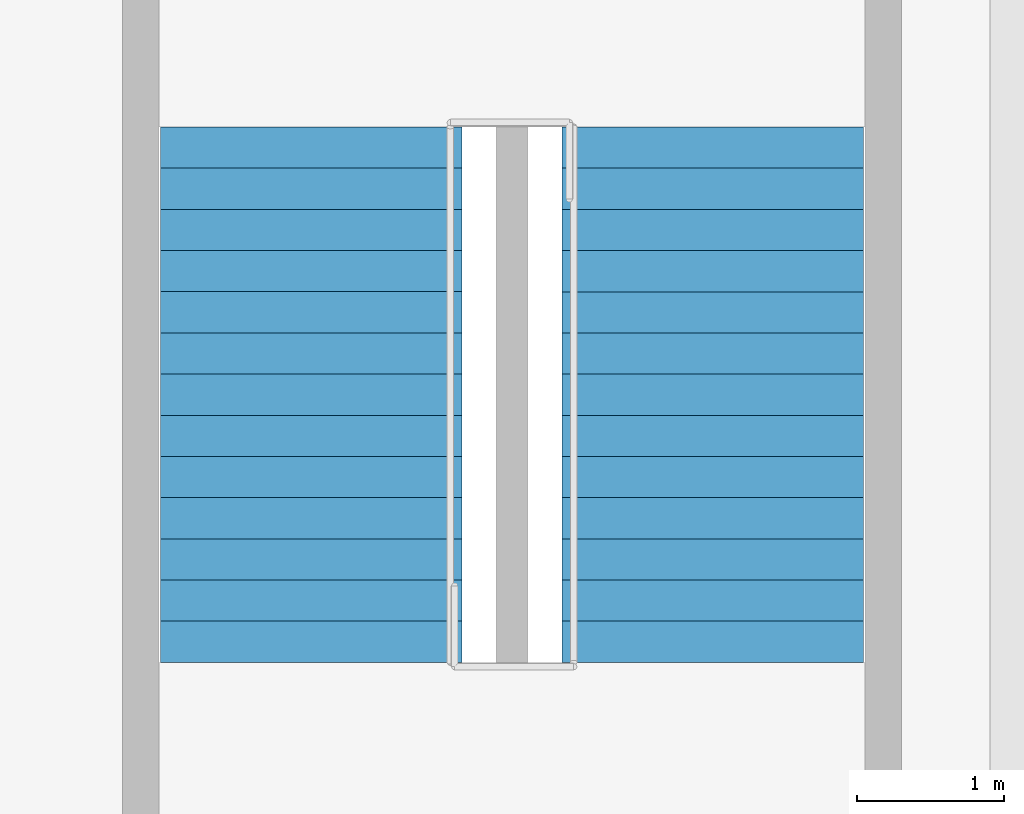
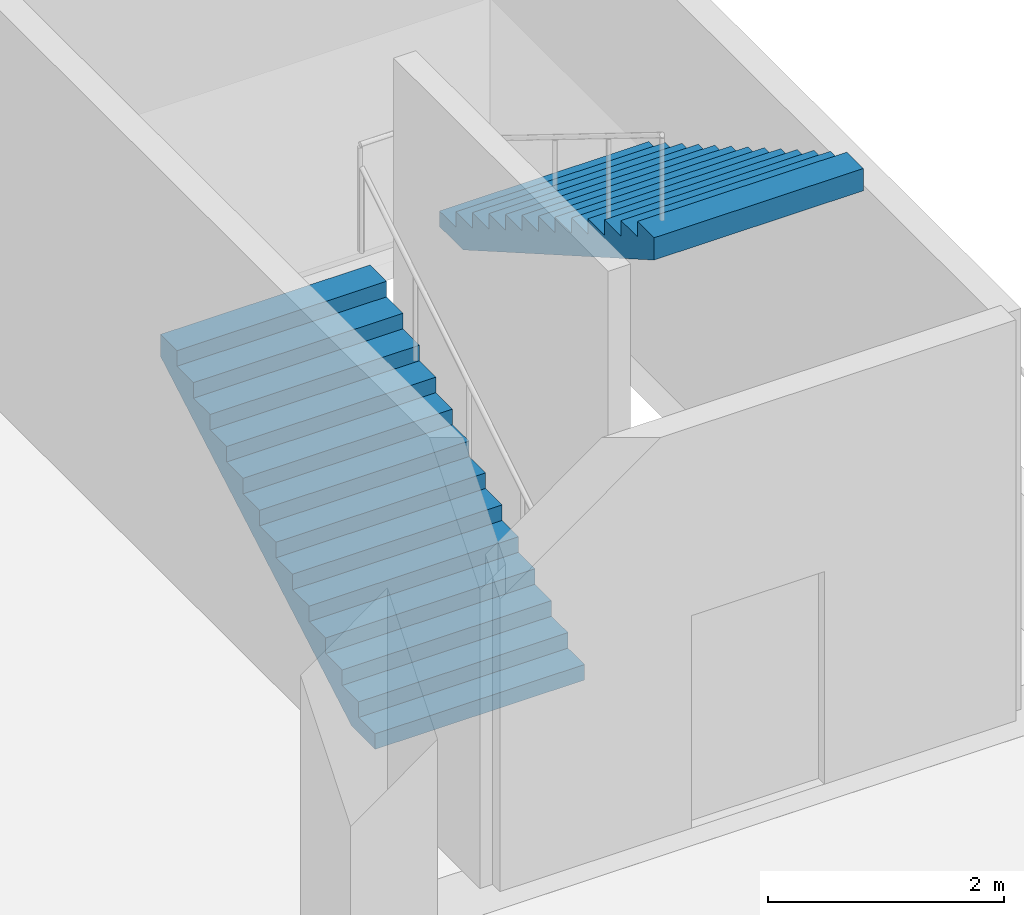
# One storey, part 20 of 25: 2 stair flights, 1 element without a shape of its own.
"""IFC4 building model written with IfcOpenShell, lengths in metres."""

from ifc_helpers import new_model, si_unit, direction, frame, origin, place, context, subcontext, project, spatial, polyline, outline, extrude, material, type_object, element, aggregate, save


model = new_model("IFC4")

# Units and contexts
model_context = context("Model", 3, precision=1e-05, world=origin(), true_north=direction((0.0, 1.0)))
body_context = subcontext(model_context, "Body", "Model", "MODEL_VIEW")
ifc_project = project(units=[si_unit("LENGTHUNIT", "METRE"), si_unit("AREAUNIT", "SQUARE_METRE"), si_unit("VOLUMEUNIT", "CUBIC_METRE"), si_unit("PLANEANGLEUNIT", "RADIAN"), si_unit("MASSUNIT", "GRAM", prefix="KILO")], contexts=[model_context])

# Site, building, storey
site_placement = place(None, origin())
site = spatial("IfcSite", under=ifc_project, at=site_placement, CompositionType="ELEMENT")
building_placement = place(site_placement, origin())
building = spatial("IfcBuilding", under=site, at=building_placement, Name="Akrevak Sports Hall", CompositionType="ELEMENT")
storey_placement = place(building_placement, frame((0.0, 0.0, -4.5)))
storey = spatial("IfcBuildingStorey", under=building, at=storey_placement, Name="B01", CompositionType="ELEMENT", Elevation=-4.5)

# Stair, stair flights
ifc_material = material(Name="Concrete C40/50", Category="concrete")
stair_type = type_object("IfcStairType", Name="ARC-STR-PDOG-450", PredefinedType="HALF_TURN_STAIR", material=ifc_material)
stair_placement = place(storey_placement, origin())
stair = element("IfcStair", 1, at=stair_placement, inside=storey, type_object=stair_type, Name="Podium NE Exit Stair ST8 (B01 to L00)", PredefinedType="HALF_TURN_STAIR")
stair_flight_type = type_object("IfcStairFlightType", Name="ARC-FLT-225-161", PredefinedType="STRAIGHT", material=ifc_material)
stair_flight_1_placement = place(storey_placement, frame((140.385009765625, 71.85009765625, 0.0), z_axis=(0.0, 0.0, 1.0), x_axis=(0.0, 1.0, 0.0)))
stair_flight_1 = element("IfcStairFlight", 2, at=stair_flight_1_placement, type_object=stair_flight_type, Name="Stair ST8 Flight 1 (B01)", NumberOfRisers=14, NumberOfTreads=13, PredefinedType="STRAIGHT", RiserHeight=0.160714, TreadLength=0.28, context=body_context, shape_type="SweptSolid", body=[
    extrude(outline(polyline([(0.0, 0.0), (0.0, 0.16064453125), (0.280029296875, 0.16064453125), (0.280029296875, 0.321533203125), (0.56005859375, 0.321533203125), (0.56005859375, 0.482177734375), (0.840087890625, 0.482177734375), (0.840087890625, 0.642822265625), (1.1201171875, 0.642822265625), (1.1201171875, 0.803466796875), (1.39990234375, 0.803466796875), (1.39990234375, 0.96435546875), (1.679931640625, 0.96435546875), (1.679931640625, 1.125), (1.9599609375, 1.125), (1.9599609375, 1.28564453125), (2.239990234375, 1.28564453125), (2.239990234375, 1.446533203125), (2.52001953125, 1.446533203125), (2.52001953125, 1.607177734375), (2.800048828125, 1.607177734375), (2.800048828125, 1.767822265625), (3.080078125, 1.767822265625), (3.080078125, 1.928466796875), (3.360107421875, 1.928466796875), (3.360107421875, 2.08935546875), (3.639892578125, 2.08935546875), (3.639892578125, 2.25), (3.639892578125, 1.858642578125), (0.401611328125, 0.0), (0.0, 0.0)])), frame((0.0, 1.02490234375, 0.0), z_axis=(0.0, -1.0, 0.0), x_axis=(1.0, 0.0, 0.0)), (0.0, 0.0, 1.0), 2.050048828125),
])
stair_flight_2_placement = place(storey_placement, frame((143.114990234375, 75.489990234375, 2.25), z_axis=(0.0, 0.0, 1.0), x_axis=(0.0, -1.0, 0.0)))
stair_flight_2 = element("IfcStairFlight", 3, at=stair_flight_2_placement, type_object=stair_flight_type, Name="Stair ST8 Flight 2 (B01)", NumberOfRisers=14, NumberOfTreads=13, PredefinedType="STRAIGHT", RiserHeight=0.160714, TreadLength=0.28, context=body_context, shape_type="SweptSolid", body=[
    extrude(outline(polyline([(0.0, 0.0), (0.0, 0.16064453125), (0.280029296875, 0.16064453125), (0.280029296875, 0.321533203125), (0.56005859375, 0.321533203125), (0.56005859375, 0.482177734375), (0.840087890625, 0.482177734375), (0.840087890625, 0.642822265625), (1.1201171875, 0.642822265625), (1.1201171875, 0.803466796875), (1.39990234375, 0.803466796875), (1.39990234375, 0.96435546875), (1.679931640625, 0.96435546875), (1.679931640625, 1.125), (1.9599609375, 1.125), (1.9599609375, 1.28564453125), (2.239990234375, 1.28564453125), (2.239990234375, 1.446533203125), (2.52001953125, 1.446533203125), (2.52001953125, 1.607177734375), (2.800048828125, 1.607177734375), (2.800048828125, 1.767822265625), (3.080078125, 1.767822265625), (3.080078125, 1.928466796875), (3.360107421875, 1.928466796875), (3.360107421875, 2.08935546875), (3.639892578125, 2.08935546875), (3.639892578125, 2.25), (3.639892578125, 1.858642578125), (0.401611328125, 0.0), (0.0, 0.0)])), frame((0.0, 1.02490234375, 0.0), z_axis=(0.0, -1.0, 0.0), x_axis=(1.0, 0.0, 0.0)), (0.0, 0.0, 1.0), 2.050048828125),
])
aggregate(stair, [stair_flight_1, stair_flight_2])

save(model, "model.ifc")
